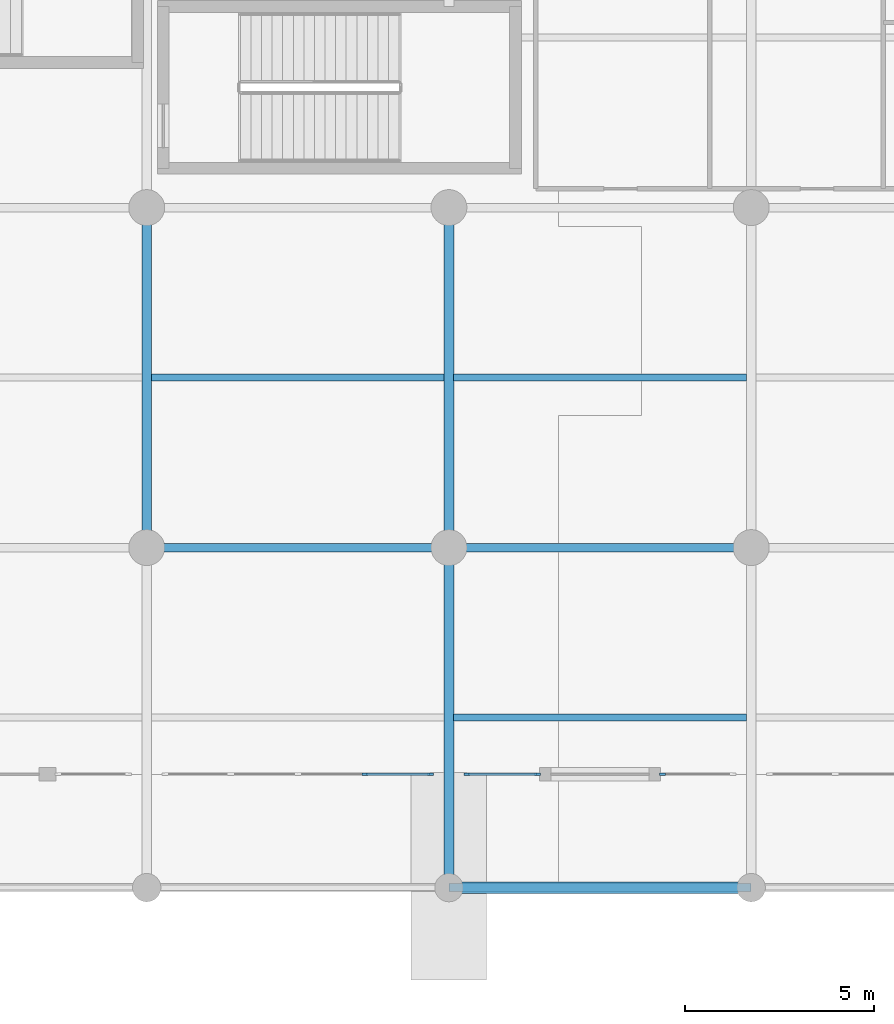
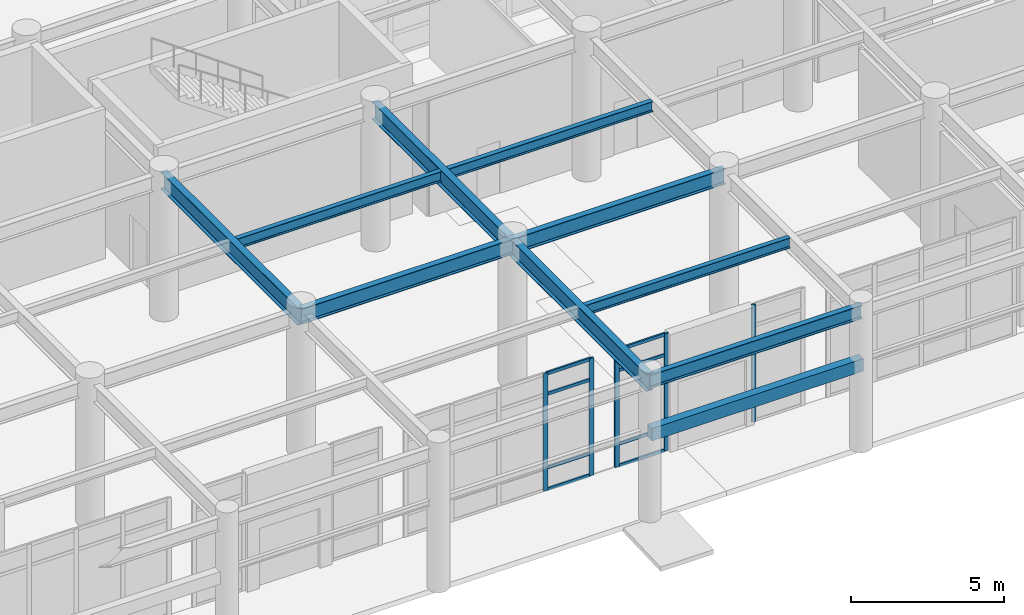
# One storey, part 9 of 49: 13 members, 10 beams, 3 elements without a shape of their own.
"""IFC4 building model written with IfcOpenShell, lengths in metres."""

from ifc_helpers import new_model, si_unit, direction, frame, origin, origin_2d, place, context, subcontext, project, spatial, rectangle, i_section, extrude, material, layer, layer_set, material_profile, profile_set, type_object, element, aggregate, save


model = new_model("IFC4")

# Units and contexts
model_context = context("Model", 3, precision=1e-05, world=origin(), true_north=direction((0.0, 1.0)))
body_context = subcontext(model_context, "Body", "Model", "MODEL_VIEW")
ifc_project = project(units=[si_unit("LENGTHUNIT", "METRE"), si_unit("AREAUNIT", "SQUARE_METRE"), si_unit("VOLUMEUNIT", "CUBIC_METRE"), si_unit("PLANEANGLEUNIT", "RADIAN"), si_unit("MASSUNIT", "GRAM", prefix="KILO")], contexts=[model_context])

# Site, building, storey
site_placement = place(None, origin())
site = spatial("IfcSite", under=ifc_project, at=site_placement, CompositionType="ELEMENT")
building_placement = place(site_placement, origin())
building = spatial("IfcBuilding", under=site, at=building_placement, Name="Tlacozan Convention Centre", CompositionType="ELEMENT")
storey_placement = place(building_placement, origin())
storey = spatial("IfcBuildingStorey", under=building, at=storey_placement, Name="L00", CompositionType="ELEMENT", Elevation=0.0)

# Curtain wall, members
ifc_material_1 = material(Name="Dark Bronze Anodised Aluminium", Category="aluminium")
ifc_layer = layer(ifc_material_1, 0.159912109375)
ifc_layer_set = layer_set([ifc_layer], Name="Dark Bronze Anodised Aluminium")
curtain_wall_type = type_object("IfcCurtainWallType", Name="Unitised Concourse Curtain Wall CW01", PredefinedType="NOTDEFINED", material=ifc_layer_set)
curtain_wall_1_placement = place(storey_placement, origin())
curtain_wall_1 = element("IfcCurtainWall", 1, at=curtain_wall_1_placement, inside=storey, type_object=curtain_wall_type, Name="L00 CW-01 Run 38", PredefinedType="NOTDEFINED")
ifc_material_profile_1 = material_profile(ifc_material_1, rectangle(XDim=0.06494140625, YDim=0.159912109375, at=origin_2d()), Name="ALU 65x160")
ifc_profile_set_1 = profile_set([ifc_material_profile_1], Name="Dark Bronze Anodised Aluminium")
member_type_1 = type_object("IfcMemberType", Name="Curtain Wall Mullion 65x160", PredefinedType="MULLION", material=ifc_profile_set_1)
member_1_placement = place(storey_placement, frame((53.77490234375, 3.0, 0.0), z_axis=(0.0, 0.0, 1.0), x_axis=(0.0, 1.0, 0.0)))
member_1 = element("IfcMember", 2, at=member_1_placement, type_object=member_type_1, Name="CW-01 mullion 4", PredefinedType="MULLION", context=body_context, shape_type="SweptSolid", body=[
    extrude(rectangle(XDim=0.06494140625, YDim=0.159912109375, at=origin_2d()), origin(), (0.0, 0.0, 1.0), 4.699951171875),
])
member_2_placement = place(storey_placement, frame((55.517578125, 3.0, 0.0), z_axis=(0.0, 0.0, 1.0), x_axis=(0.0, 1.0, 0.0)))
member_2 = element("IfcMember", 3, at=member_2_placement, type_object=member_type_1, Name="CW-01 mullion 5", PredefinedType="MULLION", context=body_context, shape_type="SweptSolid", body=[
    extrude(rectangle(XDim=0.06494140625, YDim=0.159912109375, at=origin_2d()), origin(), (0.0, 0.0, 1.0), 4.699951171875),
])

curtain_wall_2_placement = place(storey_placement, origin())
curtain_wall_2 = element("IfcCurtainWall", 4, at=curtain_wall_2_placement, inside=storey, type_object=curtain_wall_type, Name="L00 CW-01 Run 39", PredefinedType="NOTDEFINED")
member_3_placement = place(storey_placement, frame((56.482421875, 3.0, 0.0), z_axis=(0.0, 0.0, 1.0), x_axis=(0.0, 1.0, 0.0)))
member_3 = element("IfcMember", 5, at=member_3_placement, type_object=member_type_1, Name="CW-01 mullion 1", PredefinedType="MULLION", context=body_context, shape_type="SweptSolid", body=[
    extrude(rectangle(XDim=0.06494140625, YDim=0.159912109375, at=origin_2d()), origin(), (0.0, 0.0, 1.0), 4.699951171875),
])
member_4_placement = place(storey_placement, frame((58.347412109375, 3.0, 0.0), z_axis=(0.0, 0.0, 1.0), x_axis=(0.0, 1.0, 0.0)))
member_4 = element("IfcMember", 6, at=member_4_placement, type_object=member_type_1, Name="CW-01 mullion 2", PredefinedType="MULLION", context=body_context, shape_type="SweptSolid", body=[
    extrude(rectangle(XDim=0.06494140625, YDim=0.159912109375, at=origin_2d()), origin(), (0.0, 0.0, 1.0), 4.699951171875),
])

# Curtain wall, member
curtain_wall_3_placement = place(storey_placement, origin())
curtain_wall_3 = element("IfcCurtainWall", 7, at=curtain_wall_3_placement, inside=storey, type_object=curtain_wall_type, Name="L00 CW-01 Run 40", PredefinedType="NOTDEFINED")
member_5_placement = place(storey_placement, frame((61.652587890625, 3.0, 0.0), z_axis=(0.0, 0.0, 1.0), x_axis=(0.0, 1.0, 0.0)))
member_5 = element("IfcMember", 8, at=member_5_placement, type_object=member_type_1, Name="CW-01 mullion 1", PredefinedType="MULLION", context=body_context, shape_type="SweptSolid", body=[
    extrude(rectangle(XDim=0.06494140625, YDim=0.159912109375, at=origin_2d()), origin(), (0.0, 0.0, 1.0), 4.699951171875),
])
aggregate(curtain_wall_3, [member_5])

# Member
ifc_material_profile_2 = material_profile(ifc_material_1, rectangle(XDim=0.06494140625, YDim=0.125, at=origin_2d()), Name="ALU 65x125")
ifc_profile_set_2 = profile_set([ifc_material_profile_2], Name="Dark Bronze Anodised Aluminium")
member_type_2 = type_object("IfcMemberType", Name="Curtain Wall Transom 65x125", PredefinedType="USERDEFINED", material=ifc_profile_set_2)
member_6_placement = place(storey_placement, frame((53.8076171875, 3.0, 0.032470703125), z_axis=(1.0, 0.0, 0.0), x_axis=(0.0, 1.0, 0.0)))
member_6 = element("IfcMember", 9, at=member_6_placement, type_object=member_type_2, Name="CW-01 transom 4.1", ObjectType="TRANSOM", PredefinedType="USERDEFINED", context=body_context, shape_type="SweptSolid", body=[
    extrude(rectangle(XDim=0.06494140625, YDim=0.125, at=origin_2d()), origin(), (0.0, 0.0, 1.0), 1.677490234375),
])

member_7_placement = place(storey_placement, frame((53.8076171875, 3.0, 0.89990234375), z_axis=(1.0, 0.0, 0.0), x_axis=(0.0, 1.0, 0.0)))
member_7 = element("IfcMember", 10, at=member_7_placement, type_object=member_type_2, Name="CW-01 transom 4.2", ObjectType="TRANSOM", PredefinedType="USERDEFINED", context=body_context, shape_type="SweptSolid", body=[
    extrude(rectangle(XDim=0.06494140625, YDim=0.125, at=origin_2d()), origin(), (0.0, 0.0, 1.0), 1.677490234375),
])

member_8_placement = place(storey_placement, frame((53.8076171875, 3.0, 3.85009765625), z_axis=(1.0, 0.0, 0.0), x_axis=(0.0, 1.0, 0.0)))
member_8 = element("IfcMember", 11, at=member_8_placement, type_object=member_type_2, Name="CW-01 transom 4.3", ObjectType="TRANSOM", PredefinedType="USERDEFINED", context=body_context, shape_type="SweptSolid", body=[
    extrude(rectangle(XDim=0.06494140625, YDim=0.125, at=origin_2d()), origin(), (0.0, 0.0, 1.0), 1.677490234375),
])

member_9_placement = place(storey_placement, frame((53.8076171875, 3.0, 4.66748046875), z_axis=(1.0, 0.0, 0.0), x_axis=(0.0, 1.0, 0.0)))
member_9 = element("IfcMember", 12, at=member_9_placement, type_object=member_type_2, Name="CW-01 transom 4.4", ObjectType="TRANSOM", PredefinedType="USERDEFINED", context=body_context, shape_type="SweptSolid", body=[
    extrude(rectangle(XDim=0.06494140625, YDim=0.125, at=origin_2d()), origin(), (0.0, 0.0, 1.0), 1.677490234375),
])

aggregate(curtain_wall_1, [member_1, member_2, member_6, member_7, member_8, member_9])

member_10_placement = place(storey_placement, frame((56.514892578125, 3.0, 0.032470703125), z_axis=(1.0, 0.0, 0.0), x_axis=(0.0, 1.0, 0.0)))
member_10 = element("IfcMember", 13, at=member_10_placement, type_object=member_type_2, Name="CW-01 transom 1.1", ObjectType="TRANSOM", PredefinedType="USERDEFINED", context=body_context, shape_type="SweptSolid", body=[
    extrude(rectangle(XDim=0.06494140625, YDim=0.125, at=origin_2d()), origin(), (0.0, 0.0, 1.0), 1.800048828125),
])

member_11_placement = place(storey_placement, frame((56.514892578125, 3.0, 0.89990234375), z_axis=(1.0, 0.0, 0.0), x_axis=(0.0, 1.0, 0.0)))
member_11 = element("IfcMember", 14, at=member_11_placement, type_object=member_type_2, Name="CW-01 transom 1.2", ObjectType="TRANSOM", PredefinedType="USERDEFINED", context=body_context, shape_type="SweptSolid", body=[
    extrude(rectangle(XDim=0.06494140625, YDim=0.125, at=origin_2d()), origin(), (0.0, 0.0, 1.0), 1.800048828125),
])

member_12_placement = place(storey_placement, frame((56.514892578125, 3.0, 3.85009765625), z_axis=(1.0, 0.0, 0.0), x_axis=(0.0, 1.0, 0.0)))
member_12 = element("IfcMember", 15, at=member_12_placement, type_object=member_type_2, Name="CW-01 transom 1.3", ObjectType="TRANSOM", PredefinedType="USERDEFINED", context=body_context, shape_type="SweptSolid", body=[
    extrude(rectangle(XDim=0.06494140625, YDim=0.125, at=origin_2d()), origin(), (0.0, 0.0, 1.0), 1.800048828125),
])

member_13_placement = place(storey_placement, frame((56.514892578125, 3.0, 4.66748046875), z_axis=(1.0, 0.0, 0.0), x_axis=(0.0, 1.0, 0.0)))
member_13 = element("IfcMember", 16, at=member_13_placement, type_object=member_type_2, Name="CW-01 transom 1.4", ObjectType="TRANSOM", PredefinedType="USERDEFINED", context=body_context, shape_type="SweptSolid", body=[
    extrude(rectangle(XDim=0.06494140625, YDim=0.125, at=origin_2d()), origin(), (0.0, 0.0, 1.0), 1.800048828125),
])

aggregate(curtain_wall_2, [member_3, member_4, member_10, member_11, member_12, member_13])

# Beams
ifc_material_2 = material(Name="Steel ASTM A992 Grade 50", Category="steel")
ifc_material_profile_3 = material_profile(ifc_material_2, i_section(OverallWidth=0.22900390625, OverallDepth=0.612060546875, WebThickness=0.011962890625, FlangeThickness=0.01953125, FilletRadius=0.012939453125, at=origin_2d()), Name="IR 610x125.0")
ifc_profile_set_3 = profile_set([ifc_material_profile_3], Name="Steel ASTM A992 Grade 50")
beam_type_1 = type_object("IfcBeamType", Name="Floor Beam IR 610x125", PredefinedType="BEAM", material=ifc_profile_set_3)
for number, where, z_axis, x_axis, name in (
    (17, (48.0, 9.0, 5.4140625), (1.0, 0.0, 0.0), (0.0, 1.0, 0.0), "L00 Floor Beam IR 610x125 203"),
    (18, (56.0, 9.0, 5.4140625), (1.0, 0.0, 0.0), (0.0, 1.0, 0.0), "L00 Floor Beam IR 610x125 207"),
):
    element("IfcBeam", number, at=place(storey_placement, frame(where, z_axis=z_axis, x_axis=x_axis)), inside=storey, type_object=beam_type_1, Name=name, PredefinedType="BEAM", context=body_context, shape_type="SweptSolid", body=[
        extrude(i_section(OverallWidth=0.22900390625, OverallDepth=0.612060546875, WebThickness=0.011962890625, FlangeThickness=0.01953125, FilletRadius=0.012939453125, at=origin_2d()), origin(), (0.0, 0.0, 1.0), 8.0),
    ])
ifc_material_profile_4 = material_profile(ifc_material_2, i_section(OverallWidth=0.256103515625, OverallDepth=0.693115234375, WebThickness=0.014404296875, FlangeThickness=0.023681640625, FilletRadius=0.014892578125, at=origin_2d()), Name="IR 686x170.0")
ifc_profile_set_4 = profile_set([ifc_material_profile_4], Name="Steel ASTM A992 Grade 50")
beam_type_2 = type_object("IfcBeamType", Name="Girder Steel IR 686x170", PredefinedType="BEAM", material=ifc_profile_set_4)
for number, where, z_axis, x_axis, name in (
    (19, (48.0, 9.0, 5.37353515625), (0.0, 1.0, 0.0), (-1.0, 0.0, 0.0), "L00 Girder Steel IR 686x170 142"),
    (20, (56.0, 0.0, 5.37353515625), (0.0, 1.0, 0.0), (-1.0, 0.0, 0.0), "L00 Girder Steel IR 686x170 144"),
    (21, (56.0, 9.0, 5.37353515625), (0.0, 1.0, 0.0), (-1.0, 0.0, 0.0), "L00 Girder Steel IR 686x170 145"),
):
    element("IfcBeam", number, at=place(storey_placement, frame(where, z_axis=z_axis, x_axis=x_axis)), inside=storey, type_object=beam_type_2, Name=name, PredefinedType="BEAM", context=body_context, shape_type="SweptSolid", body=[
        extrude(i_section(OverallWidth=0.256103515625, OverallDepth=0.693115234375, WebThickness=0.014404296875, FlangeThickness=0.023681640625, FilletRadius=0.014892578125, at=origin_2d()), origin(), (0.0, 0.0, 1.0), 9.0),
    ])
ifc_material_3 = material(Name="Concrete C40/50", Category="concrete")
ifc_material_profile_5 = material_profile(ifc_material_3, rectangle(XDim=0.300048828125, YDim=0.5, at=origin_2d()), Name="RC 300x500")
ifc_profile_set_5 = profile_set([ifc_material_profile_5], Name="Concrete C40/50")
beam_type_3 = type_object("IfcBeamType", Name="Opening Lintel RC 300x500", PredefinedType="LINTEL", material=ifc_profile_set_5)
beam_1_placement = place(storey_placement, frame((56.0, 0.0, 3.35009765625), z_axis=(1.0, 0.0, 0.0), x_axis=(0.0, 1.0, 0.0)))
element("IfcBeam", 22, at=beam_1_placement, inside=storey, type_object=beam_type_3, Name="L00 Opening Lintel RC 300x500 1729", PredefinedType="LINTEL", context=body_context, shape_type="SweptSolid", body=[
    extrude(rectangle(XDim=0.300048828125, YDim=0.5, at=origin_2d()), origin(), (0.0, 0.0, 1.0), 8.0),
])
ifc_material_profile_6 = material_profile(ifc_material_2, i_section(OverallWidth=0.2109375, OverallDepth=0.5390625, WebThickness=0.01171875, FlangeThickness=0.018798828125, FilletRadius=0.012939453125, at=origin_2d()), Name="IR 533x109.0")
ifc_profile_set_6 = profile_set([ifc_material_profile_6], Name="Steel ASTM A992 Grade 50")
beam_type_4 = type_object("IfcBeamType", Name="Perimeter Spandrel IR 533x109", PredefinedType="SPANDREL", material=ifc_profile_set_6)
beam_2_placement = place(storey_placement, frame((56.0, 0.0, 5.450439453125), z_axis=(1.0, 0.0, 0.0), x_axis=(0.0, 1.0, 0.0)))
element("IfcBeam", 23, at=beam_2_placement, inside=storey, type_object=beam_type_4, Name="L00 Perimeter Spandrel IR 533x109 206", PredefinedType="SPANDREL", context=body_context, shape_type="SweptSolid", body=[
    extrude(i_section(OverallWidth=0.2109375, OverallDepth=0.5390625, WebThickness=0.01171875, FlangeThickness=0.018798828125, FilletRadius=0.012939453125, at=origin_2d()), origin(), (0.0, 0.0, 1.0), 8.0),
])
ifc_material_profile_7 = material_profile(ifc_material_2, i_section(OverallWidth=0.179931640625, OverallDepth=0.4130859375, WebThickness=0.009765625, FlangeThickness=0.01611328125, FilletRadius=0.010986328125, at=origin_2d()), Name="IR 406x74.4")
ifc_profile_set_7 = profile_set([ifc_material_profile_7], Name="Steel ASTM A992 Grade 50")
beam_type_5 = type_object("IfcBeamType", Name="Secondary Joist IR 406x74.4", PredefinedType="JOIST", material=ifc_profile_set_7)
for number, where, z_axis, x_axis, name in (
    (24, (48.1259765625, 13.5, 5.513427734375), (1.0, 0.0, 0.0), (0.0, 1.0, 0.0), "L00 Secondary Joist IR 406x74.4 241"),
    (25, (56.1259765625, 4.5, 5.513427734375), (1.0, 0.0, 0.0), (0.0, 1.0, 0.0), "L00 Secondary Joist IR 406x74.4 242"),
    (26, (56.1259765625, 13.5, 5.513427734375), (1.0, 0.0, 0.0), (0.0, 1.0, 0.0), "L00 Secondary Joist IR 406x74.4 243"),
):
    element("IfcBeam", number, at=place(storey_placement, frame(where, z_axis=z_axis, x_axis=x_axis)), inside=storey, type_object=beam_type_5, Name=name, PredefinedType="JOIST", context=body_context, shape_type="SweptSolid", body=[
        extrude(i_section(OverallWidth=0.179931640625, OverallDepth=0.4130859375, WebThickness=0.009765625, FlangeThickness=0.01611328125, FilletRadius=0.010986328125, at=origin_2d()), origin(), (0.0, 0.0, 1.0), 7.748046875),
    ])

save(model, "model.ifc")
